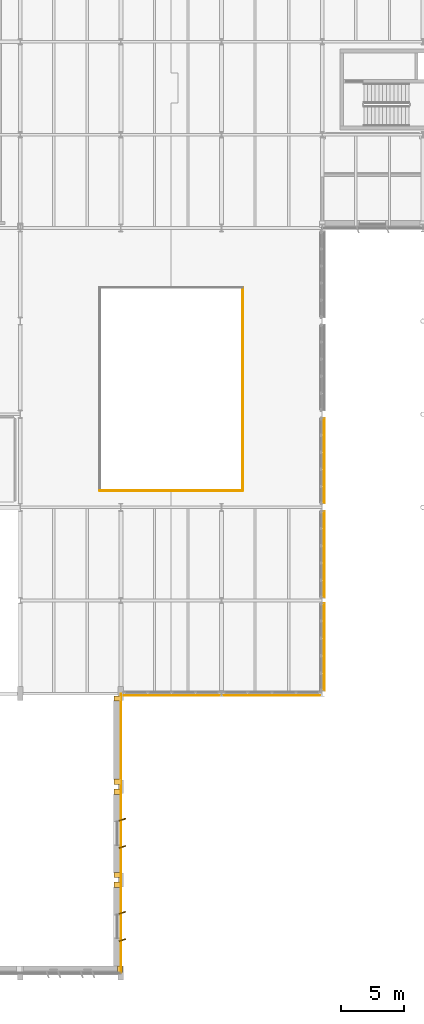
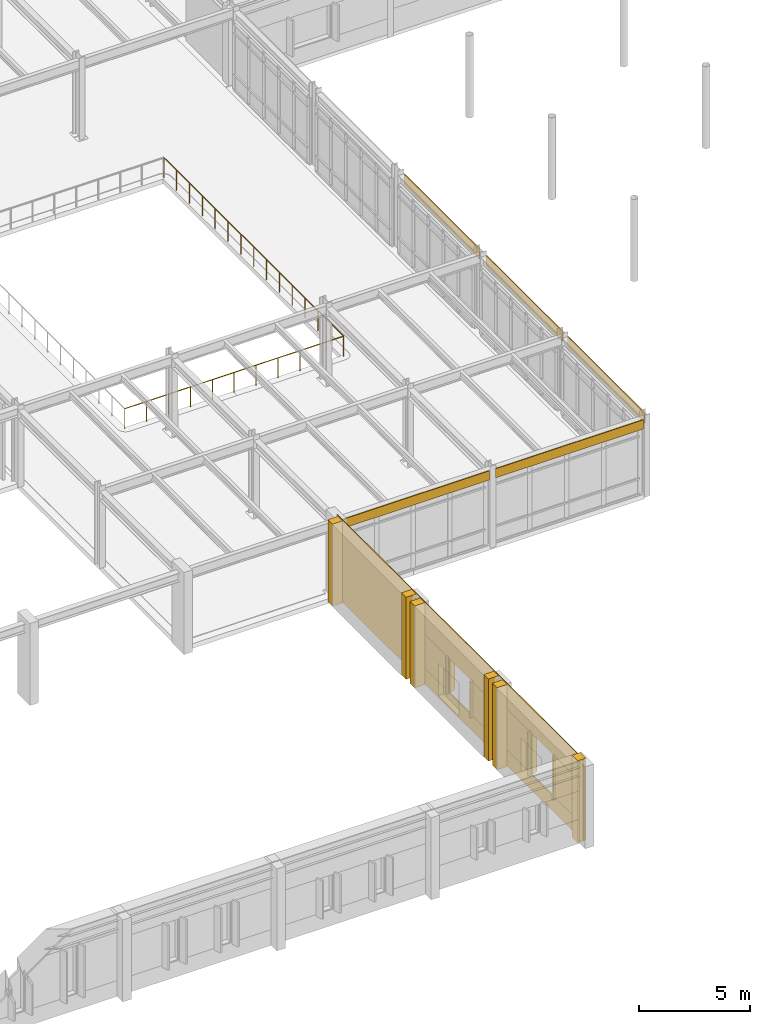
# One storey, part 60 of 75: 24 coverings, 2 railings.
"""IFC4 building model written with IfcOpenShell, lengths in metres."""

from ifc_helpers import new_model, si_unit, direction, frame, frame_2d, origin, origin_2d, place, context, subcontext, project, spatial, rectangle, circle, extrude, material, layer, layer_set, type_object, element, save


model = new_model("IFC4")

# Units and contexts
model_context = context("Model", 3, precision=1e-05, world=origin(), true_north=direction((0.0, 1.0)))
body_context = subcontext(model_context, "Body", "Model", "MODEL_VIEW")
ifc_project = project(units=[si_unit("LENGTHUNIT", "METRE"), si_unit("AREAUNIT", "SQUARE_METRE"), si_unit("VOLUMEUNIT", "CUBIC_METRE"), si_unit("PLANEANGLEUNIT", "RADIAN"), si_unit("MASSUNIT", "GRAM", prefix="KILO")], contexts=[model_context])

# Site, building, storey
site_placement = place(None, origin())
site = spatial("IfcSite", under=ifc_project, at=site_placement, CompositionType="ELEMENT")
building_placement = place(site_placement, origin())
building = spatial("IfcBuilding", under=site, at=building_placement, Name="Valkorina Park Police Headquarters", CompositionType="ELEMENT")
storey_placement = place(building_placement, frame((0.0, 0.0, 5.39990234375)))
storey = spatial("IfcBuildingStorey", under=building, at=storey_placement, Name="L02", CompositionType="ELEMENT", Elevation=5.39990234375)

# Coverings
ifc_material_1 = material(Name="Precast concrete C40/50", Category="concrete")
ifc_layer = layer(ifc_material_1, 0.044921875)
ifc_layer_set = layer_set([ifc_layer], Name="Precast concrete C40/50")
covering_type = type_object("IfcCoveringType", Name="COV-CLAD-DOLOMITE", PredefinedType="CLADDING", material=ifc_layer_set)
covering_1_placement = place(storey_placement, frame((64.735107421875, 0.2900390625, 0.0), z_axis=(0.0, 0.0, 1.0), x_axis=(1.0, 0.0, 0.0)))
element("IfcCovering", 1, at=covering_1_placement, inside=storey, type_object=covering_type, Name="L02 Exterior Joint Closure Pilaster A 0819", PredefinedType="CLADDING", context=body_context, shape_type="SweptSolid", body=[
    extrude(rectangle(XDim=0.419921875, YDim=0.52197265625, at=origin_2d()), origin(), (0.0, 0.0, 1.0), 4.5),
])
covering_2_placement = place(storey_placement, frame((80.9599609375, 44.090087890625, 3.68017578125), z_axis=(0.0, 0.0, 1.0), x_axis=(0.0, -1.0, 0.0)))
element("IfcCovering", 2, at=covering_2_placement, inside=storey, type_object=covering_type, Name="L02 Spandrel Beam Insulated Fascia 1707", PredefinedType="CLADDING", context=body_context, shape_type="SweptSolid", body=[
    extrude(rectangle(XDim=6.780029296875, YDim=0.044921875, at=frame_2d((3.39013671875, 0.0))), origin(), (0.0, 0.0, 1.0), 0.559814453125),
])
covering_3_placement = place(storey_placement, frame((80.9599609375, 36.68994140625, 3.68017578125), z_axis=(0.0, 0.0, 1.0), x_axis=(0.0, -1.0, 0.0)))
element("IfcCovering", 3, at=covering_3_placement, inside=storey, type_object=covering_type, Name="L02 Spandrel Beam Insulated Fascia 1708", PredefinedType="CLADDING", context=body_context, shape_type="SweptSolid", body=[
    extrude(rectangle(XDim=6.85498046875, YDim=0.044921875, at=frame_2d((3.427490234375, 0.0))), origin(), (0.0, 0.0, 1.0), 0.559814453125),
])
covering_4_placement = place(storey_placement, frame((80.9599609375, 29.364990234375, 3.68017578125), z_axis=(0.0, 0.0, 1.0), x_axis=(0.0, -1.0, 0.0)))
element("IfcCovering", 4, at=covering_4_placement, inside=storey, type_object=covering_type, Name="L02 Spandrel Beam Insulated Fascia 1709", PredefinedType="CLADDING", context=body_context, shape_type="SweptSolid", body=[
    extrude(rectangle(XDim=6.929931640625, YDim=0.044921875, at=frame_2d((3.46484375, 0.0))), origin(), (0.0, 0.0, 1.0), 0.559814453125),
])
covering_5_placement = place(storey_placement, frame((80.639892578125, 22.0400390625, 3.739990234375), z_axis=(0.0, 0.0, 1.0), x_axis=(-1.0, 0.0, 0.0)))
element("IfcCovering", 5, at=covering_5_placement, inside=storey, type_object=covering_type, Name="L02 Spandrel Beam Insulated Fascia 1710", PredefinedType="CLADDING", context=body_context, shape_type="SweptSolid", body=[
    extrude(rectangle(XDim=7.679931640625, YDim=0.044921875, at=frame_2d((3.83984375, 0.0))), origin(), (0.0, 0.0, 1.0), 0.5),
])
covering_6_placement = place(storey_placement, frame((72.639892578125, 22.0400390625, 3.739990234375), z_axis=(0.0, 0.0, 1.0), x_axis=(-1.0, 0.0, 0.0)))
element("IfcCovering", 6, at=covering_6_placement, inside=storey, type_object=covering_type, Name="L02 Spandrel Beam Insulated Fascia 1711", PredefinedType="CLADDING", context=body_context, shape_type="SweptSolid", body=[
    extrude(rectangle(XDim=7.60498046875, YDim=0.044921875, at=frame_2d((3.802490234375, 0.0))), origin(), (0.0, 0.0, 1.0), 0.5),
])
for number, where, z_axis, x_axis, name in (
    (7, (64.510009765625, 21.81005859375, 0.0), (0.0, 0.0, 1.0), (0.0, 1.0, 0.0), "L02 Exterior Joint Closure Pilaster A 1712"),
    (8, (64.510009765625, 15.18994140625, 0.0), (0.0, 0.0, 1.0), (0.0, 1.0, 0.0), "L02 Exterior Joint Closure Pilaster B 1713"),
):
    element("IfcCovering", number, at=place(storey_placement, frame(where, z_axis=z_axis, x_axis=x_axis)), inside=storey, type_object=covering_type, Name=name, PredefinedType="CLADDING", context=body_context, shape_type="SweptSolid", body=[
        extrude(rectangle(XDim=0.419921875, YDim=0.52197265625, at=origin_2d()), origin(), (0.0, 0.0, 1.0), 4.5),
    ])
covering_7_placement = place(storey_placement, frame((64.81494140625, 22.179931640625, 0.0), z_axis=(0.0, 0.0, 1.0), x_axis=(0.0, -1.0, 0.0)))
element("IfcCovering", 9, at=covering_7_placement, inside=storey, type_object=covering_type, Name="L02 Calm Concrete Base Panel 1714", PredefinedType="CLADDING", context=body_context, shape_type="SweptSolid", body=[
    extrude(rectangle(XDim=7.35986328125, YDim=0.044921875, at=frame_2d((3.679931640625, 0.0))), origin(), (0.0, 0.0, 1.0), 4.5),
])
for number, where, z_axis, x_axis, name in (
    (10, (64.510009765625, 14.409912109375, 0.0), (0.0, 0.0, 1.0), (0.0, 1.0, 0.0), "L02 Exterior Joint Closure Pilaster A 1715"),
    (11, (64.510009765625, 7.7900390625, 0.0), (0.0, 0.0, 1.0), (0.0, 1.0, 0.0), "L02 Exterior Joint Closure Pilaster B 1716"),
):
    element("IfcCovering", number, at=place(storey_placement, frame(where, z_axis=z_axis, x_axis=x_axis)), inside=storey, type_object=covering_type, Name=name, PredefinedType="CLADDING", context=body_context, shape_type="SweptSolid", body=[
        extrude(rectangle(XDim=0.419921875, YDim=0.52197265625, at=origin_2d()), origin(), (0.0, 0.0, 1.0), 4.5),
    ])
for number, where, z_axis, x_axis, name in (
    (12, (64.919921875, 12.18505859375, 0.780029296875), (0.0, 0.0, 1.0), (0.948323655206, 0.317304656405, 0.0), "Slanted 18.5-deg Precast Window Slot Fin 1717"),
    (13, (64.919921875, 10.014892578125, 0.780029296875), (0.0, 0.0, 1.0), (0.948323655206, 0.317304656405, 0.0), "Slanted 18.5-deg Precast Window Slot Fin 1718"),
):
    element("IfcCovering", number, at=place(storey_placement, frame(where, z_axis=z_axis, x_axis=x_axis)), inside=storey, type_object=covering_type, Name=name, PredefinedType="CLADDING", context=body_context, shape_type="SweptSolid", body=[
        extrude(rectangle(XDim=0.5400390625, YDim=0.090087890625, at=origin_2d()), origin(), (0.0, 0.0, 1.0), 2.0400390625),
    ])
covering_8_placement = place(storey_placement, frame((64.81494140625, 14.780029296875, 0.0), z_axis=(0.0, 0.0, 1.0), x_axis=(0.0, -1.0, 0.0)))
element("IfcCovering", 14, at=covering_8_placement, inside=storey, type_object=covering_type, Name="L02 Calm Concrete Base Sill Spandrel 1719", PredefinedType="CLADDING", context=body_context, shape_type="SweptSolid", body=[
    extrude(rectangle(XDim=7.360107421875, YDim=0.044921875, at=frame_2d((3.68017578125, 0.0))), origin(), (0.0, 0.0, 1.0), 0.8701171875),
])
covering_9_placement = place(storey_placement, frame((64.81494140625, 14.780029296875, 2.72998046875), z_axis=(0.0, 0.0, 1.0), x_axis=(0.0, -1.0, 0.0)))
element("IfcCovering", 15, at=covering_9_placement, inside=storey, type_object=covering_type, Name="L02 Calm Concrete Base Lintel Spandrel 1720", PredefinedType="CLADDING", context=body_context, shape_type="SweptSolid", body=[
    extrude(rectangle(XDim=7.360107421875, YDim=0.044921875, at=frame_2d((3.68017578125, 0.0))), origin(), (0.0, 0.0, 1.0), 1.77001953125),
])
for number, where, z_axis, x_axis, name in (
    (16, (64.81494140625, 14.780029296875, 0.8701171875), (0.0, 0.0, 1.0), (0.0, -1.0, 0.0), "L02 Calm Concrete Base Slot Pier 1721"),
    (17, (64.81494140625, 10.125, 0.8701171875), (0.0, 0.0, 1.0), (0.0, -1.0, 0.0), "L02 Calm Concrete Base Slot Pier 1722"),
):
    element("IfcCovering", number, at=place(storey_placement, frame(where, z_axis=z_axis, x_axis=x_axis)), inside=storey, type_object=covering_type, Name=name, PredefinedType="CLADDING", context=body_context, shape_type="SweptSolid", body=[
        extrude(rectangle(XDim=2.705078125, YDim=0.044921875, at=frame_2d((1.3525390625, 0.0))), origin(), (0.0, 0.0, 1.0), 1.85986328125),
    ])
covering_10_placement = place(storey_placement, frame((64.510009765625, 7.010009765625, 0.0), z_axis=(0.0, 0.0, 1.0), x_axis=(0.0, 1.0, 0.0)))
element("IfcCovering", 18, at=covering_10_placement, inside=storey, type_object=covering_type, Name="L02 Exterior Joint Closure Pilaster A 1723", PredefinedType="CLADDING", context=body_context, shape_type="SweptSolid", body=[
    extrude(rectangle(XDim=0.419921875, YDim=0.52197265625, at=origin_2d()), origin(), (0.0, 0.0, 1.0), 4.5),
])
for number, where, z_axis, x_axis, name in (
    (19, (64.919921875, 4.784912109375, 0.780029296875), (0.0, 0.0, 1.0), (0.948323655206, 0.317304656405, 0.0), "Slanted 18.5-deg Precast Window Slot Fin 1724"),
    (20, (64.919921875, 2.614990234375, 0.780029296875), (0.0, 0.0, 1.0), (0.948323655206, 0.317304656405, 0.0), "Slanted 18.5-deg Precast Window Slot Fin 1725"),
):
    element("IfcCovering", number, at=place(storey_placement, frame(where, z_axis=z_axis, x_axis=x_axis)), inside=storey, type_object=covering_type, Name=name, PredefinedType="CLADDING", context=body_context, shape_type="SweptSolid", body=[
        extrude(rectangle(XDim=0.5400390625, YDim=0.090087890625, at=origin_2d()), origin(), (0.0, 0.0, 1.0), 2.43994140625),
    ])
covering_11_placement = place(storey_placement, frame((64.81494140625, 7.3798828125, 0.0), z_axis=(0.0, 0.0, 1.0), x_axis=(0.0, -1.0, 0.0)))
element("IfcCovering", 21, at=covering_11_placement, inside=storey, type_object=covering_type, Name="L02 Calm Concrete Base Sill Spandrel 1726", PredefinedType="CLADDING", context=body_context, shape_type="SweptSolid", body=[
    extrude(rectangle(XDim=7.35986328125, YDim=0.044921875, at=frame_2d((3.679931640625, 0.0))), origin(), (0.0, 0.0, 1.0), 0.8701171875),
])
covering_12_placement = place(storey_placement, frame((64.81494140625, 7.3798828125, 3.130126953125), z_axis=(0.0, 0.0, 1.0), x_axis=(0.0, -1.0, 0.0)))
element("IfcCovering", 22, at=covering_12_placement, inside=storey, type_object=covering_type, Name="L02 Calm Concrete Base Lintel Spandrel 1727", PredefinedType="CLADDING", context=body_context, shape_type="SweptSolid", body=[
    extrude(rectangle(XDim=7.35986328125, YDim=0.044921875, at=frame_2d((3.679931640625, 0.0))), origin(), (0.0, 0.0, 1.0), 1.369873046875),
])
covering_13_placement = place(storey_placement, frame((64.81494140625, 7.3798828125, 0.8701171875), z_axis=(0.0, 0.0, 1.0), x_axis=(0.0, -1.0, 0.0)))
element("IfcCovering", 23, at=covering_13_placement, inside=storey, type_object=covering_type, Name="L02 Calm Concrete Base Slot Pier 1728", PredefinedType="CLADDING", context=body_context, shape_type="SweptSolid", body=[
    extrude(rectangle(XDim=2.704833984375, YDim=0.044921875, at=frame_2d((1.3525390625, 0.0))), origin(), (0.0, 0.0, 1.0), 2.260009765625),
])
covering_14_placement = place(storey_placement, frame((64.81494140625, 2.72509765625, 0.8701171875), z_axis=(0.0, 0.0, 1.0), x_axis=(0.0, -1.0, 0.0)))
element("IfcCovering", 24, at=covering_14_placement, inside=storey, type_object=covering_type, Name="L02 Calm Concrete Base Slot Pier 1729", PredefinedType="CLADDING", context=body_context, shape_type="SweptSolid", body=[
    extrude(rectangle(XDim=2.705078125, YDim=0.044921875, at=frame_2d((1.3525390625, 0.0))), origin(), (0.0, 0.0, 1.0), 2.260009765625),
])

# Railings
ifc_material_2 = material(Name="Stainless steel EN 1.4404", Category="steel")
railing_type = type_object("IfcRailingType", Name="RL-GUARD-INT-1100", PredefinedType="BALUSTRADE", material=ifc_material_2)
railing_1_placement = place(storey_placement, frame((63.1201171875, 38.320068359375, 0.0)))
element("IfcRailing", 25, at=railing_1_placement, inside=storey, type_object=railing_type, Name="L02 Winter Concourse Atrium Balustrade 1", PredefinedType="BALUSTRADE", context=body_context, shape_type="SweptSolid", body=[
    extrude(circle(Radius=0.02392578125, at=origin_2d()), frame((0.0, 0.0, 1.09619140625), z_axis=(1.0, 0.0, 0.0), x_axis=(0.0, 1.0, 0.0)), (0.0, 0.0, 1.0), 11.35986328125),
    extrude(circle(Radius=0.02099609375, at=origin_2d()), origin(), (0.0, 0.0, 1.0), 1.072021484375),
    extrude(circle(Radius=0.02099609375, at=origin_2d()), frame((1.135986328125, 0.0, 0.0)), (0.0, 0.0, 1.0), 1.072021484375),
    extrude(circle(Radius=0.02099609375, at=origin_2d()), frame((2.27197265625, 0.0, 0.0)), (0.0, 0.0, 1.0), 1.072021484375),
    extrude(circle(Radius=0.02099609375, at=origin_2d()), frame((3.407958984375, 0.0, 0.0)), (0.0, 0.0, 1.0), 1.072021484375),
    extrude(circle(Radius=0.02099609375, at=origin_2d()), frame((4.5439453125, 0.0, 0.0)), (0.0, 0.0, 1.0), 1.072021484375),
    extrude(circle(Radius=0.02099609375, at=origin_2d()), frame((5.679931640625, 0.0, 0.0)), (0.0, 0.0, 1.0), 1.072021484375),
    extrude(circle(Radius=0.02099609375, at=origin_2d()), frame((6.81591796875, 0.0, 0.0)), (0.0, 0.0, 1.0), 1.072021484375),
    extrude(circle(Radius=0.02099609375, at=origin_2d()), frame((7.951904296875, 0.0, 0.0)), (0.0, 0.0, 1.0), 1.072021484375),
    extrude(circle(Radius=0.02099609375, at=origin_2d()), frame((9.087890625, 0.0, 0.0)), (0.0, 0.0, 1.0), 1.072021484375),
    extrude(circle(Radius=0.02099609375, at=origin_2d()), frame((10.223876953125, 0.0, 0.0)), (0.0, 0.0, 1.0), 1.072021484375),
    extrude(circle(Radius=0.02099609375, at=origin_2d()), frame((11.35986328125, 0.0, 0.0)), (0.0, 0.0, 1.0), 1.072021484375),
])
railing_2_placement = place(storey_placement, frame((74.47998046875, 38.320068359375, 0.0)))
element("IfcRailing", 26, at=railing_2_placement, inside=storey, type_object=railing_type, Name="L02 Winter Concourse Atrium Balustrade 2", PredefinedType="BALUSTRADE", context=body_context, shape_type="SweptSolid", body=[
    extrude(circle(Radius=0.02392578125, at=origin_2d()), frame((0.0, 0.0, 1.09619140625), z_axis=(0.0, 1.0, 0.0), x_axis=(-1.0, 0.0, 0.0)), (0.0, 0.0, 1.0), 16.159912109375),
    extrude(circle(Radius=0.02099609375, at=origin_2d()), origin(), (0.0, 0.0, 1.0), 1.072021484375),
    extrude(circle(Radius=0.02099609375, at=origin_2d()), frame((0.0, 1.154296875, 0.0)), (0.0, 0.0, 1.0), 1.072021484375),
    extrude(circle(Radius=0.02099609375, at=origin_2d()), frame((0.0, 2.30859375, 0.0)), (0.0, 0.0, 1.0), 1.072021484375),
    extrude(circle(Radius=0.02099609375, at=origin_2d()), frame((0.0, 3.462890625, 0.0)), (0.0, 0.0, 1.0), 1.072021484375),
    extrude(circle(Radius=0.02099609375, at=origin_2d()), frame((0.0, 4.6171875, 0.0)), (0.0, 0.0, 1.0), 1.072021484375),
    extrude(circle(Radius=0.02099609375, at=origin_2d()), frame((0.0, 5.771484375, 0.0)), (0.0, 0.0, 1.0), 1.072021484375),
    extrude(circle(Radius=0.02099609375, at=origin_2d()), frame((0.0, 6.92578125, 0.0)), (0.0, 0.0, 1.0), 1.072021484375),
    extrude(circle(Radius=0.02099609375, at=origin_2d()), frame((0.0, 8.080078125, 0.0)), (0.0, 0.0, 1.0), 1.072021484375),
    extrude(circle(Radius=0.02099609375, at=origin_2d()), frame((0.0, 9.234130859375, 0.0)), (0.0, 0.0, 1.0), 1.072021484375),
    extrude(circle(Radius=0.02099609375, at=origin_2d()), frame((0.0, 10.388427734375, 0.0)), (0.0, 0.0, 1.0), 1.072021484375),
    extrude(circle(Radius=0.02099609375, at=origin_2d()), frame((0.0, 11.542724609375, 0.0)), (0.0, 0.0, 1.0), 1.072021484375),
    extrude(circle(Radius=0.02099609375, at=origin_2d()), frame((0.0, 12.697021484375, 0.0)), (0.0, 0.0, 1.0), 1.072021484375),
    extrude(circle(Radius=0.02099609375, at=origin_2d()), frame((0.0, 13.851318359375, 0.0)), (0.0, 0.0, 1.0), 1.072021484375),
    extrude(circle(Radius=0.02099609375, at=origin_2d()), frame((0.0, 15.005615234375, 0.0)), (0.0, 0.0, 1.0), 1.072021484375),
    extrude(circle(Radius=0.02099609375, at=origin_2d()), frame((0.0, 16.159912109375, 0.0)), (0.0, 0.0, 1.0), 1.072021484375),
])

save(model, "model.ifc")
